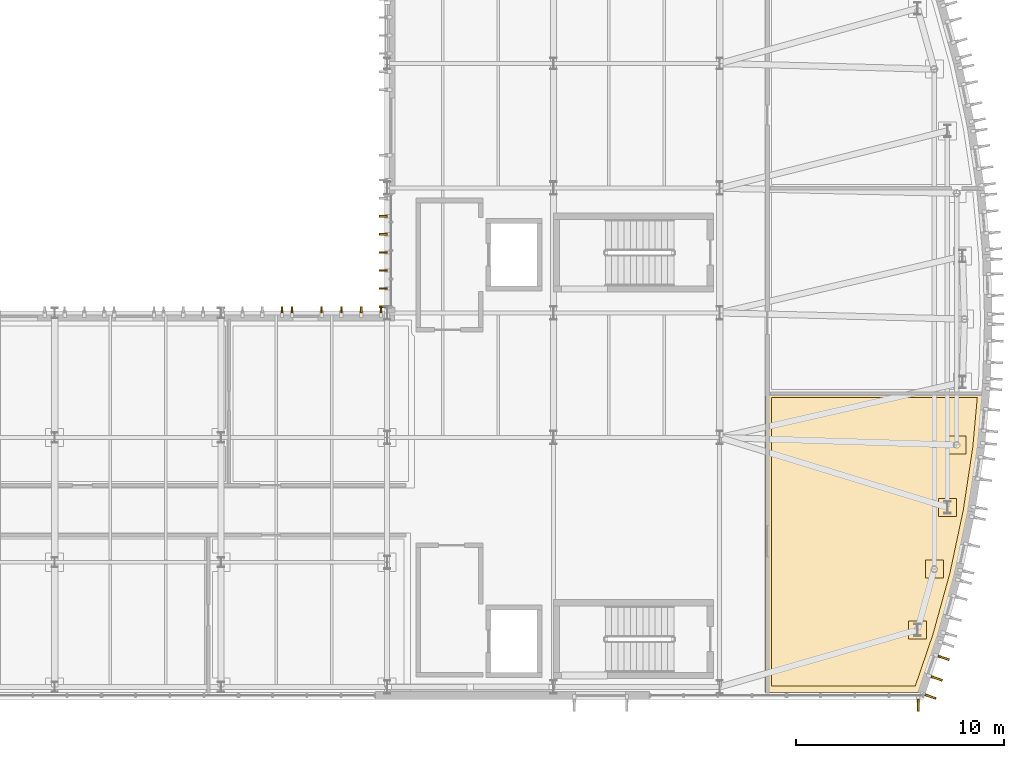
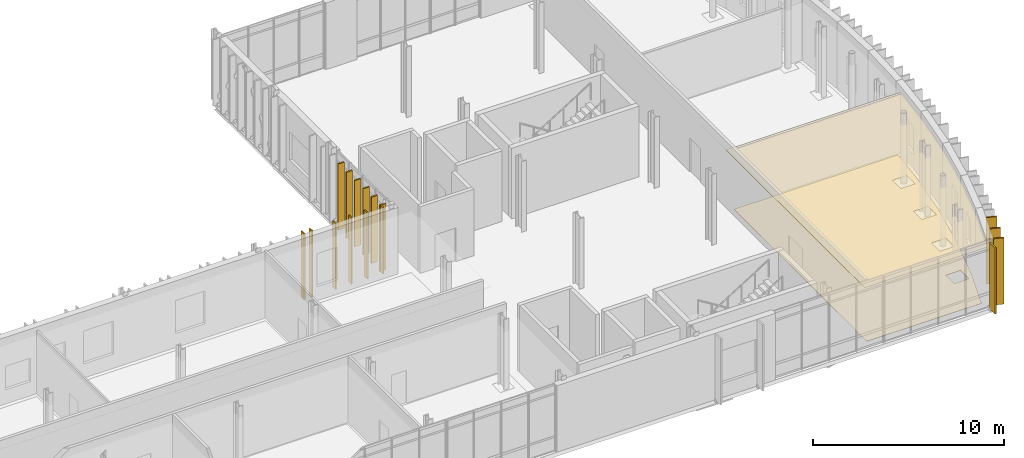
# One storey, part 98 of 100: 18 coverings.
"""IFC4 building model written with IfcOpenShell, lengths in metres."""

from ifc_helpers import new_model, si_unit, direction, frame, origin, origin_2d, place, context, subcontext, project, spatial, polyline, rectangle, outline, extrude, material, layer, layer_set, type_object, element, save


model = new_model("IFC4")

# Units and contexts
model_context = context("Model", 3, precision=1e-05, world=origin(), true_north=direction((0.0, 1.0)))
body_context = subcontext(model_context, "Body", "Model", "MODEL_VIEW")
ifc_project = project(units=[si_unit("LENGTHUNIT", "METRE"), si_unit("AREAUNIT", "SQUARE_METRE"), si_unit("VOLUMEUNIT", "CUBIC_METRE"), si_unit("PLANEANGLEUNIT", "RADIAN"), si_unit("MASSUNIT", "GRAM", prefix="KILO")], contexts=[model_context])

# Site, building, storey
site_placement = place(None, origin())
site = spatial("IfcSite", under=ifc_project, at=site_placement, CompositionType="ELEMENT")
building_placement = place(site_placement, origin())
building = spatial("IfcBuilding", under=site, at=building_placement, Name="Cymarion Research Institute", CompositionType="ELEMENT")
storey_placement = place(building_placement, frame((0.0, 0.0, 4.800048828125)))
storey = spatial("IfcBuildingStorey", under=building, at=storey_placement, Name="L01", CompositionType="ELEMENT", Elevation=4.800048828125)

# Coverings
ifc_material_1 = material(Name="Micro-perforated mineral acoustic ceiling tile", Category="gypsum")
ifc_layer_1 = layer(ifc_material_1, 0.030029296875)
ifc_layer_set_1 = layer_set([ifc_layer_1], Name="Micro-perforated mineral acoustic ceiling tile")
covering_type_1 = type_object("IfcCoveringType", Name="ACOUSTIC MICRO-PERFORATED SUSPENDED CEILING CLG-01", PredefinedType="CEILING", material=ifc_layer_set_1)
covering_1_placement = place(storey_placement, frame((0.0, 0.0, 3.699951171875)))
element("IfcCovering", 1, at=covering_1_placement, inside=storey, type_object=covering_type_1, Name="L01 L01 Curved Prow Wet Synthesis Laboratory acoustic ceiling", PredefinedType="CEILING", context=body_context, shape_type="SweptSolid", body=[
    extrude(outline(polyline([(167.325439453125, 19.735107421875), (167.080078125, 17.014404296875), (166.617431640625, 13.94921875), (165.971923828125, 10.91748046875), (165.14599609375, 7.9296875), (164.22412109375, 5.235107421875), (156.784912109375, 5.235107421875), (156.784912109375, 19.735107421875), (167.325439453125, 19.735107421875)])), origin(), (0.0, 0.0, 1.0), 0.030029296875),
])
ifc_material_2 = material(Name="Precast concrete C45/55 architectural white", Category="concrete")
ifc_layer_2 = layer(ifc_material_2, 0.090087890625)
ifc_layer_set_2 = layer_set([ifc_layer_2], Name="Precast concrete C45/55 architectural white")
covering_type_2 = type_object("IfcCoveringType", Name="ARCHITECTURAL WHITE PRECAST CONCRETE VERTICAL FIN FIN1 560MM", PredefinedType="CLADDING", material=ifc_layer_set_2)
for number, where, z_axis, x_axis, name in (
    (2, (164.159912109375, 4.617919921875, 0.010009765625), (0.0, 0.0, 1.0), (0.0, -1.0, 0.0), "L01 V1 white precast vertical fin FIN1 #108"),
    (3, (164.744384765625, 5.035888671875, 0.010009765625), (0.0, 0.0, 1.0), (0.946141878672, -0.32375229022, 0.0), "L01 V1 white precast vertical fin FIN1 #109"),
    (4, (165.043701171875, 5.91064453125, 0.010009765625), (0.0, 0.0, 1.0), (0.946141878672, -0.32375229022, 0.0), "L01 V1 white precast vertical fin FIN1 #110"),
    (5, (165.380615234375, 6.89453125, 0.010009765625), (0.0, 0.0, 1.0), (0.946141878672, -0.32375229022, 0.0), "L01 V1 white precast vertical fin FIN1 #111"),
):
    element("IfcCovering", number, at=place(storey_placement, frame(where, z_axis=z_axis, x_axis=x_axis)), inside=storey, type_object=covering_type_2, Name=name, PredefinedType="CLADDING", context=body_context, shape_type="SweptSolid", body=[
        extrude(rectangle(XDim=0.56005859375, YDim=0.090087890625, at=origin_2d()), origin(), (0.0, 0.0, 1.0), 4.22998046875),
    ])
ifc_layer_3 = layer(ifc_material_2, 0.0849609375)
ifc_layer_set_3 = layer_set([ifc_layer_3], Name="Precast concrete C45/55 architectural white")
covering_type_3 = type_object("IfcCoveringType", Name="ARCHITECTURAL WHITE PRECAST CONCRETE VERTICAL FIN FIN3 380MM", PredefinedType="CLADDING", material=ifc_layer_set_3)
for number, where, z_axis, x_axis, name in (
    (6, (138.407958984375, 28.14990234375, 0.010009765625), (0.0, 0.0, 1.0), (-1.0, 0.0, 0.0), "L01 V1 white precast vertical fin FIN3 #171"),
    (7, (138.407958984375, 27.280029296875, 0.010009765625), (0.0, 0.0, 1.0), (-1.0, 0.0, 0.0), "L01 V1 white precast vertical fin FIN3 #172"),
    (8, (138.407958984375, 26.409912109375, 0.010009765625), (0.0, 0.0, 1.0), (-1.0, 0.0, 0.0), "L01 V1 white precast vertical fin FIN3 #173"),
    (9, (138.407958984375, 25.5400390625, 0.010009765625), (0.0, 0.0, 1.0), (-1.0, 0.0, 0.0), "L01 V1 white precast vertical fin FIN3 #174"),
    (10, (138.407958984375, 24.669921875, 0.010009765625), (0.0, 0.0, 1.0), (-1.0, 0.0, 0.0), "L01 V1 white precast vertical fin FIN3 #175"),
    (11, (138.407958984375, 23.800048828125, 0.010009765625), (0.0, 0.0, 1.0), (-1.0, 0.0, 0.0), "L01 V1 white precast vertical fin FIN3 #176"),
):
    element("IfcCovering", number, at=place(storey_placement, frame(where, z_axis=z_axis, x_axis=x_axis)), inside=storey, type_object=covering_type_3, Name=name, PredefinedType="CLADDING", context=body_context, shape_type="SweptSolid", body=[
        extrude(rectangle(XDim=0.3798828125, YDim=0.0849609375, at=origin_2d()), origin(), (0.0, 0.0, 1.0), 4.22998046875),
    ])
ifc_layer_4 = layer(ifc_material_2, 0.080078125)
ifc_layer_set_4 = layer_set([ifc_layer_4], Name="Precast concrete C45/55 architectural white")
covering_type_4 = type_object("IfcCoveringType", Name="ARCHITECTURAL WHITE PRECAST CONCRETE VERTICAL FIN FIN4 300MM", PredefinedType="CLADDING", material=ifc_layer_set_4)
for number, where, z_axis, x_axis, name in (
    (12, (138.300048828125, 23.652099609375, 0.010009765625), (0.0, 0.0, 1.0), (0.0, 1.0, 0.0), "L01 V1 white precast vertical fin FIN4 #177"),
    (13, (137.3486328125, 23.652099609375, 0.010009765625), (0.0, 0.0, 1.0), (0.0, 1.0, 0.0), "L01 V1 white precast vertical fin FIN4 #178"),
    (14, (136.397216796875, 23.652099609375, 0.010009765625), (0.0, 0.0, 1.0), (0.0, 1.0, 0.0), "L01 V1 white precast vertical fin FIN4 #179"),
    (15, (135.44580078125, 23.652099609375, 0.010009765625), (0.0, 0.0, 1.0), (0.0, 1.0, 0.0), "L01 V1 white precast vertical fin FIN4 #180"),
    (16, (134.02001953125, 23.652099609375, 0.010009765625), (0.0, 0.0, 1.0), (0.0, 1.0, 0.0), "L01 V1 white precast vertical fin FIN4 #181"),
    (17, (133.54296875, 23.652099609375, 0.010009765625), (0.0, 0.0, 1.0), (0.0, 1.0, 0.0), "L01 V1 white precast vertical fin FIN4 #182"),
):
    element("IfcCovering", number, at=place(storey_placement, frame(where, z_axis=z_axis, x_axis=x_axis)), inside=storey, type_object=covering_type_4, Name=name, PredefinedType="CLADDING", context=body_context, shape_type="SweptSolid", body=[
        extrude(rectangle(XDim=0.300048828125, YDim=0.080078125, at=origin_2d()), origin(), (0.0, 0.0, 1.0), 4.22998046875),
    ])
ifc_material_3 = material(Name="Seamless dissipative epoxy resin flooring", Category="resin")
ifc_layer_5 = layer(ifc_material_3, 0.02001953125)
ifc_layer_set_5 = layer_set([ifc_layer_5], Name="Seamless dissipative epoxy resin flooring")
covering_type_5 = type_object("IfcCoveringType", Name="SEAMLESS ESD EPOXY LABORATORY FLOORING FLR-01", PredefinedType="FLOORING", material=ifc_layer_set_5)
covering_2_placement = place(storey_placement, origin())
element("IfcCovering", 18, at=covering_2_placement, inside=storey, type_object=covering_type_5, Name="L01 L01 Curved Prow Wet Synthesis Laboratory ESD epoxy flooring", PredefinedType="FLOORING", context=body_context, shape_type="SweptSolid", body=[
    extrude(outline(polyline([(157.0849609375, 19.43505859375), (166.997314453125, 19.43505859375), (166.7822265625, 17.05029296875), (166.322021484375, 14.0029296875), (165.680419921875, 10.98876953125), (164.859130859375, 8.018310546875), (164.009521484375, 5.534912109375), (157.0849609375, 5.534912109375), (157.0849609375, 19.43505859375)]), holes=[polyline([(166.447998046875, 17.577880859375), (165.577880859375, 17.577880859375), (165.577880859375, 16.707763671875), (166.447998046875, 16.707763671875), (166.447998046875, 17.577880859375)]), polyline([(165.994873046875, 14.576416015625), (165.125, 14.576416015625), (165.125, 13.70654296875), (165.994873046875, 13.70654296875), (165.994873046875, 14.576416015625)]), polyline([(165.36279296875, 11.607666015625), (164.492919921875, 11.607666015625), (164.492919921875, 10.73779296875), (165.36279296875, 10.73779296875), (165.36279296875, 11.607666015625)]), polyline([(164.553955078125, 8.681884765625), (163.68408203125, 8.681884765625), (163.68408203125, 7.81201171875), (164.553955078125, 7.81201171875), (164.553955078125, 8.681884765625)])]), origin(), (0.0, 0.0, 1.0), 0.02001953125),
])

save(model, "model.ifc")
